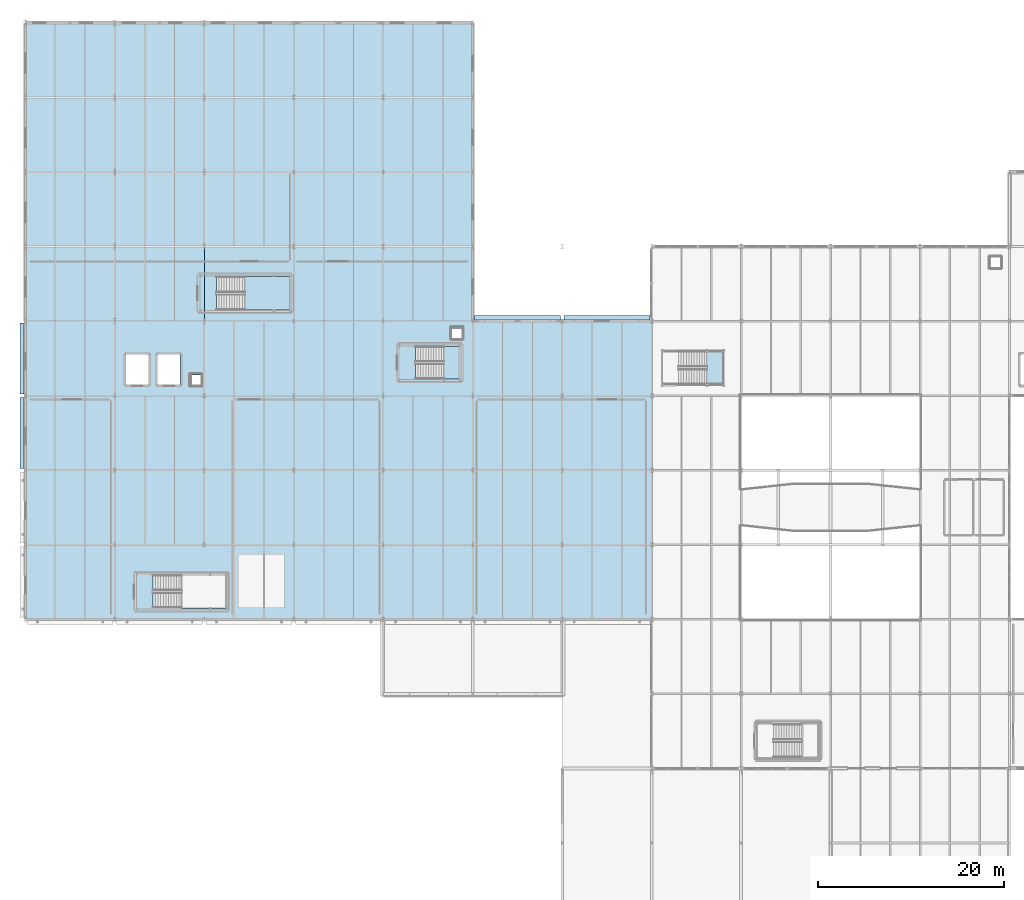
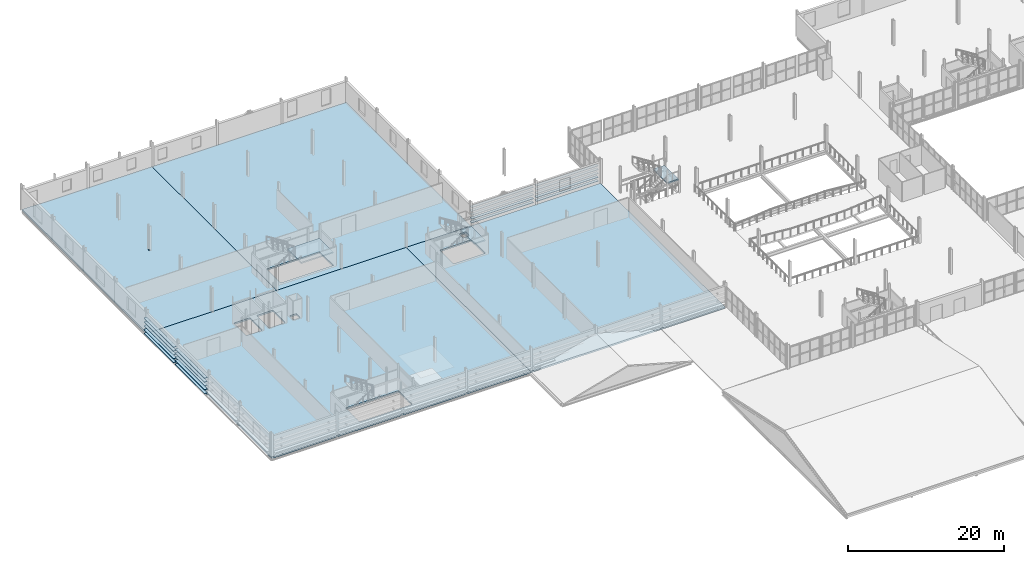
# One storey, part 60 of 85: 20 plates, 7 slabs, 3 elements without a shape of their own.
"""IFC4 building model written with IfcOpenShell, lengths in metres."""

from ifc_helpers import new_model, si_unit, direction, frame, origin, origin_2d, place, context, subcontext, project, spatial, polyline, rectangle, outline, extrude, material, layer, layer_set, type_object, element, aggregate, save


model = new_model("IFC4")

# Units and contexts
model_context = context("Model", 3, precision=1e-05, world=origin(), true_north=direction((0.0, 1.0)))
body_context = subcontext(model_context, "Body", "Model", "MODEL_VIEW")
ifc_project = project(units=[si_unit("LENGTHUNIT", "METRE"), si_unit("AREAUNIT", "SQUARE_METRE"), si_unit("VOLUMEUNIT", "CUBIC_METRE"), si_unit("PLANEANGLEUNIT", "RADIAN"), si_unit("MASSUNIT", "GRAM", prefix="KILO")], contexts=[model_context])

# Site, building, storey
site_placement = place(None, origin())
site = spatial("IfcSite", under=ifc_project, at=site_placement, CompositionType="ELEMENT")
building_placement = place(site_placement, origin())
building = spatial("IfcBuilding", under=site, at=building_placement, Name="Alderhovde Museum", CompositionType="ELEMENT")
storey_placement = place(building_placement, frame((0.0, 0.0, 8.699951171875)))
storey = spatial("IfcBuildingStorey", under=building, at=storey_placement, Name="L02", CompositionType="ELEMENT", Elevation=8.699951171875)

# Plates
ifc_material_1 = material(Name="Bronze-Anodised Aluminium EN AW-6063-T6", Category="aluminium")
ifc_layer_1 = layer(ifc_material_1, 0.06494140625)
ifc_layer_set_1 = layer_set([ifc_layer_1], Name="Bronze-Anodised Aluminium EN AW-6063-T6")
plate_type = type_object("IfcPlateType", Name="LV-BLADE-450", PredefinedType="USERDEFINED", material=ifc_layer_set_1)
for number, where, z_axis, x_axis, name in (
    (1, (9.2451171875, 68.0, 0.267578125), (0.0, 0.0, 1.0), (0.0, 1.0, 0.0), "L02 Wrap-Around Horizontal Louvre 72"),
    (2, (9.2451171875, 68.0, 0.86767578125), (0.0, 0.0, 1.0), (0.0, 1.0, 0.0), "L02 Wrap-Around Horizontal Louvre 73"),
    (3, (9.2451171875, 68.0, 1.467529296875), (0.0, 0.0, 1.0), (0.0, 1.0, 0.0), "L02 Wrap-Around Horizontal Louvre 74"),
    (4, (9.2451171875, 68.0, 2.067626953125), (0.0, 0.0, 1.0), (0.0, 1.0, 0.0), "L02 Wrap-Around Horizontal Louvre 75"),
    (5, (9.2451171875, 68.0, 2.66748046875), (0.0, 0.0, 1.0), (0.0, 1.0, 0.0), "L02 Wrap-Around Horizontal Louvre 76"),
    (6, (9.2451171875, 76.0, 0.267578125), (0.0, 0.0, 1.0), (0.0, 1.0, 0.0), "L02 Wrap-Around Horizontal Louvre 77"),
    (7, (9.2451171875, 76.0, 0.86767578125), (0.0, 0.0, 1.0), (0.0, 1.0, 0.0), "L02 Wrap-Around Horizontal Louvre 78"),
    (8, (9.2451171875, 76.0, 1.467529296875), (0.0, 0.0, 1.0), (0.0, 1.0, 0.0), "L02 Wrap-Around Horizontal Louvre 79"),
    (9, (9.2451171875, 76.0, 2.067626953125), (0.0, 0.0, 1.0), (0.0, 1.0, 0.0), "L02 Wrap-Around Horizontal Louvre 80"),
    (10, (9.2451171875, 76.0, 2.66748046875), (0.0, 0.0, 1.0), (0.0, 1.0, 0.0), "L02 Wrap-Around Horizontal Louvre 81"),
):
    element("IfcPlate", number, at=place(storey_placement, frame(where, z_axis=z_axis, x_axis=x_axis)), inside=storey, type_object=plate_type, Name=name, ObjectType="LOUVRE BLADE", PredefinedType="USERDEFINED", context=body_context, shape_type="SweptSolid", body=[
        extrude(rectangle(XDim=7.60009765625, YDim=0.449951171875, at=origin_2d()), origin(), (0.0, 0.0, 1.0), 0.06494140625),
    ])
for number, where, z_axis, x_axis, name in (
    (11, (62.39990234375, 80.35498046875, 0.267578125), (0.0, 0.0, 1.0), (1.0, 0.0, 0.0), "L02 Wrap-Around Horizontal Louvre 117"),
    (12, (62.39990234375, 80.35498046875, 0.86767578125), (0.0, 0.0, 1.0), (1.0, 0.0, 0.0), "L02 Wrap-Around Horizontal Louvre 118"),
    (13, (62.39990234375, 80.35498046875, 1.467529296875), (0.0, 0.0, 1.0), (1.0, 0.0, 0.0), "L02 Wrap-Around Horizontal Louvre 119"),
    (14, (62.39990234375, 80.35498046875, 2.067626953125), (0.0, 0.0, 1.0), (1.0, 0.0, 0.0), "L02 Wrap-Around Horizontal Louvre 120"),
    (15, (62.39990234375, 80.35498046875, 2.66748046875), (0.0, 0.0, 1.0), (1.0, 0.0, 0.0), "L02 Wrap-Around Horizontal Louvre 121"),
    (16, (72.0, 80.35498046875, 0.267578125), (0.0, 0.0, 1.0), (1.0, 0.0, 0.0), "L02 Wrap-Around Horizontal Louvre 122"),
    (17, (72.0, 80.35498046875, 0.86767578125), (0.0, 0.0, 1.0), (1.0, 0.0, 0.0), "L02 Wrap-Around Horizontal Louvre 123"),
    (18, (72.0, 80.35498046875, 1.467529296875), (0.0, 0.0, 1.0), (1.0, 0.0, 0.0), "L02 Wrap-Around Horizontal Louvre 124"),
    (19, (72.0, 80.35498046875, 2.067626953125), (0.0, 0.0, 1.0), (1.0, 0.0, 0.0), "L02 Wrap-Around Horizontal Louvre 125"),
    (20, (72.0, 80.35498046875, 2.66748046875), (0.0, 0.0, 1.0), (1.0, 0.0, 0.0), "L02 Wrap-Around Horizontal Louvre 126"),
):
    element("IfcPlate", number, at=place(storey_placement, frame(where, z_axis=z_axis, x_axis=x_axis)), inside=storey, type_object=plate_type, Name=name, ObjectType="LOUVRE BLADE", PredefinedType="USERDEFINED", context=body_context, shape_type="SweptSolid", body=[
        extrude(rectangle(XDim=9.199951171875, YDim=0.449951171875, at=origin_2d()), origin(), (0.0, 0.0, 1.0), 0.06494140625),
    ])

# Slabs
ifc_material_2 = material(Name="Concrete C35/45", Category="concrete")
ifc_layer_2 = layer(ifc_material_2, 0.260009765625)
ifc_layer_set_2 = layer_set([ifc_layer_2], Name="Concrete C35/45")
slab_type_1 = type_object("IfcSlabType", Name="SLB-FLR-260", PredefinedType="FLOOR", material=ifc_layer_set_2)
slab_1_placement = place(storey_placement, frame((0.0, 0.0, -0.260009765625)))
element("IfcSlab", 21, at=slab_1_placement, inside=storey, type_object=slab_type_1, Name="L02 VOL1 Structural Slab", PredefinedType="FLOOR", context=body_context, shape_type="SweptSolid", body=[
    extrude(outline(polyline([(9.60009765625, 48.0), (48.0, 48.0), (48.0, 80.0), (9.60009765625, 80.0), (9.60009765625, 48.0)]), holes=[polyline([(23.31005859375, 49.199951171875), (31.1201171875, 49.199951171875), (31.1201171875, 52.760009765625), (23.31005859375, 52.760009765625), (23.31005859375, 49.199951171875)]), polyline([(20.39990234375, 73.199951171875), (22.800048828125, 73.199951171875), (22.800048828125, 76.39990234375), (20.39990234375, 76.39990234375), (20.39990234375, 73.199951171875)]), polyline([(23.800048828125, 73.199951171875), (26.199951171875, 73.199951171875), (26.199951171875, 76.39990234375), (23.800048828125, 76.39990234375), (23.800048828125, 73.199951171875)]), polyline([(27.39990234375, 73.199951171875), (28.39990234375, 73.199951171875), (28.39990234375, 74.199951171875), (27.39990234375, 74.199951171875), (27.39990234375, 73.199951171875)])]), origin(), (0.0, 0.0, 1.0), 0.260009765625),
])
slab_2_placement = place(storey_placement, frame((0.0, 0.0, -0.260009765625)))
element("IfcSlab", 22, at=slab_2_placement, inside=storey, type_object=slab_type_1, Name="L02 VOL1 Structural Slab", PredefinedType="FLOOR", context=body_context, shape_type="SweptSolid", body=[
    extrude(outline(polyline([(48.0, 48.0), (76.800048828125, 48.0), (76.800048828125, 80.0), (48.0, 80.0), (48.0, 48.0)]), holes=[polyline([(51.469970703125, 73.800048828125), (56.159912109375, 73.800048828125), (56.159912109375, 77.280029296875), (51.469970703125, 77.280029296875), (51.469970703125, 73.800048828125)]), polyline([(55.39990234375, 78.199951171875), (56.39990234375, 78.199951171875), (56.39990234375, 79.199951171875), (55.39990234375, 79.199951171875), (55.39990234375, 78.199951171875)])]), origin(), (0.0, 0.0, 1.0), 0.260009765625),
])
slab_3_placement = place(storey_placement, frame((0.0, 0.0, -0.260009765625)))
element("IfcSlab", 23, at=slab_3_placement, inside=storey, type_object=slab_type_1, Name="L02 VOL4 Structural Slab", PredefinedType="FLOOR", context=body_context, shape_type="SweptSolid", body=[
    extrude(outline(polyline([(9.60009765625, 80.0), (28.800048828125, 80.0), (28.800048828125, 112.0), (9.60009765625, 112.0), (9.60009765625, 80.0)]), holes=[polyline([(19.090087890625, 95.889892578125), (19.31005859375, 95.889892578125), (19.31005859375, 96.110107421875), (19.090087890625, 96.110107421875), (19.090087890625, 95.889892578125)])]), origin(), (0.0, 0.0, 1.0), 0.260009765625),
])
slab_4_placement = place(storey_placement, frame((0.0, 0.0, -0.260009765625)))
element("IfcSlab", 24, at=slab_4_placement, inside=storey, type_object=slab_type_1, Name="L02 VOL4 Structural Slab", PredefinedType="FLOOR", context=body_context, shape_type="SweptSolid", body=[
    extrude(outline(polyline([(28.800048828125, 80.0), (57.60009765625, 80.0), (57.60009765625, 112.0), (28.800048828125, 112.0), (28.800048828125, 80.0)]), holes=[polyline([(30.110107421875, 81.199951171875), (37.919921875, 81.199951171875), (37.919921875, 84.760009765625), (30.110107421875, 84.760009765625), (30.110107421875, 81.199951171875)])]), origin(), (0.0, 0.0, 1.0), 0.260009765625),
])

# Stair, slab
ifc_material_3 = material(Name="Concrete C35/45", Category="concrete")
stair_type = type_object("IfcStairType", Name="STR-1500-4200", PredefinedType="HALF_TURN_STAIR", material=ifc_material_3)
stair_1_placement = place(storey_placement, origin())
stair_1 = element("IfcStair", 25, at=stair_1_placement, inside=storey, type_object=stair_type, Name="L02 Escape Stair ST2", PredefinedType="HALF_TURN_STAIR")
ifc_material_4 = material(Name="Concrete C35/45", Category="concrete")
ifc_layer_3 = layer(ifc_material_4, 0.199951171875)
ifc_layer_set_3 = layer_set([ifc_layer_3], Name="Concrete C35/45")
slab_type_2 = type_object("IfcSlabType", Name="SLB-LANDING-200", PredefinedType="LANDING", material=ifc_layer_set_3)
slab_5_placement = place(storey_placement, frame((0.0, 0.0, 1.900146484375)))
slab_5 = element("IfcSlab", 26, at=slab_5_placement, type_object=slab_type_2, Name="ST2 landing 1", PredefinedType="LANDING", context=body_context, shape_type="SweptSolid", body=[
    extrude(outline(polyline([(33.159912109375, 81.199951171875), (37.919921875, 81.199951171875), (37.919921875, 84.760009765625), (33.159912109375, 84.760009765625), (33.159912109375, 81.199951171875)])), origin(), (0.0, 0.0, 1.0), 0.199951171875),
])
aggregate(stair_1, [slab_5])

stair_2_placement = place(storey_placement, origin())
stair_2 = element("IfcStair", 27, at=stair_2_placement, inside=storey, type_object=stair_type, Name="L02 Conservatory Grand Stair ST5", PredefinedType="HALF_TURN_STAIR")
slab_6_placement = place(storey_placement, frame((0.0, 0.0, 1.900146484375)))
slab_6 = element("IfcSlab", 28, at=slab_6_placement, type_object=slab_type_2, Name="ST5 landing 1", PredefinedType="LANDING", context=body_context, shape_type="SweptSolid", body=[
    extrude(outline(polyline([(82.760009765625, 73.199951171875), (84.43994140625, 73.199951171875), (84.43994140625, 76.760009765625), (82.760009765625, 76.760009765625), (82.760009765625, 73.199951171875)])), origin(), (0.0, 0.0, 1.0), 0.199951171875),
])
aggregate(stair_2, [slab_6])

stair_3_placement = place(storey_placement, origin())
stair_3 = element("IfcStair", 29, at=stair_3_placement, inside=storey, type_object=stair_type, Name="L02 Gallery Stair ST6", PredefinedType="HALF_TURN_STAIR")
slab_7_placement = place(storey_placement, frame((0.0, 0.0, 1.900146484375)))
slab_7 = element("IfcSlab", 30, at=slab_7_placement, type_object=slab_type_2, Name="ST6 landing 1", PredefinedType="LANDING", context=body_context, shape_type="SweptSolid", body=[
    extrude(outline(polyline([(54.52001953125, 73.800048828125), (56.159912109375, 73.800048828125), (56.159912109375, 77.280029296875), (54.52001953125, 77.280029296875), (54.52001953125, 73.800048828125)])), origin(), (0.0, 0.0, 1.0), 0.199951171875),
])
aggregate(stair_3, [slab_7])

save(model, "model.ifc")
